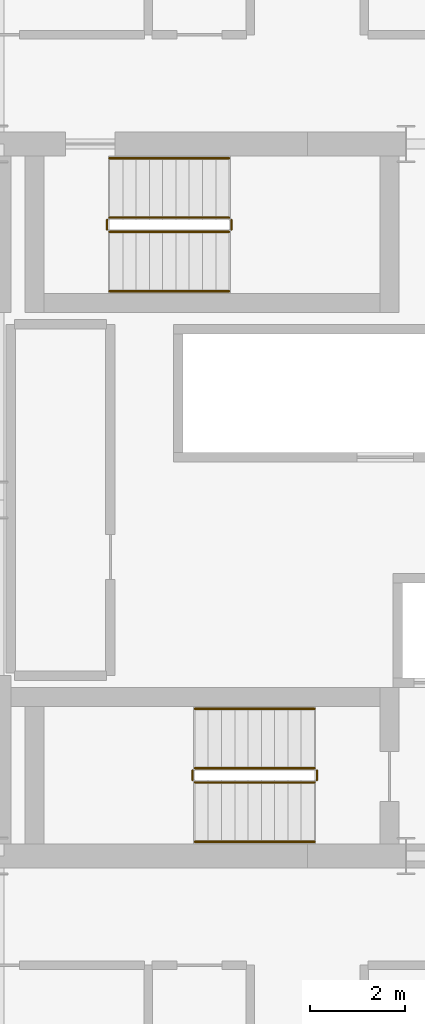
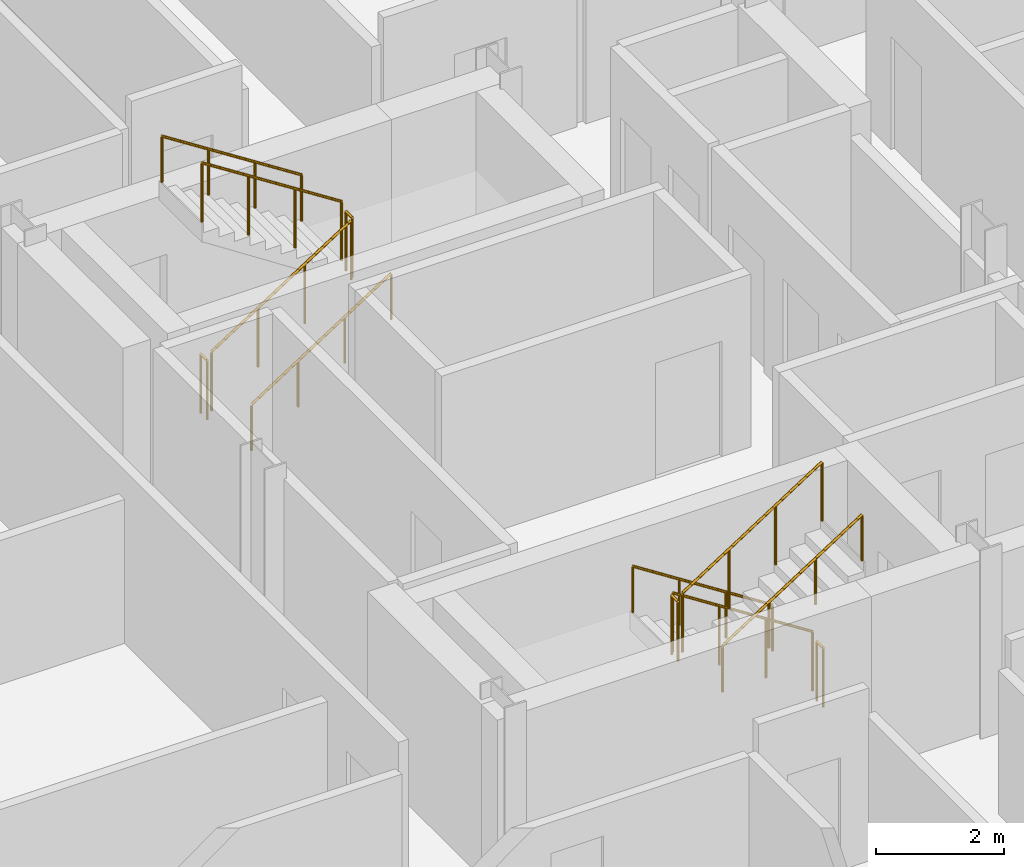
# One storey, part 24 of 25: 12 railings.
"""IFC4 building model written with IfcOpenShell, lengths in metres."""

from ifc_helpers import new_model, si_unit, direction, frame, origin, origin_2d, place, context, subcontext, project, spatial, circle, extrude, material, type_object, element, save


model = new_model("IFC4")

# Units and contexts
model_context = context("Model", 3, precision=1e-05, world=origin(), true_north=direction((0.0, 1.0)))
body_context = subcontext(model_context, "Body", "Model", "MODEL_VIEW")
ifc_project = project(units=[si_unit("LENGTHUNIT", "METRE"), si_unit("AREAUNIT", "SQUARE_METRE"), si_unit("VOLUMEUNIT", "CUBIC_METRE"), si_unit("PLANEANGLEUNIT", "RADIAN"), si_unit("MASSUNIT", "GRAM", prefix="KILO")], contexts=[model_context])

# Site, building, storey
site_placement = place(None, origin())
site = spatial("IfcSite", under=ifc_project, at=site_placement, CompositionType="ELEMENT")
building_placement = place(site_placement, origin())
building = spatial("IfcBuilding", under=site, at=building_placement, Name="Barlavira Tower and Art Museum", CompositionType="ELEMENT")
storey_placement = place(building_placement, frame((0.0, 0.0, 208.800048828125)))
storey = spatial("IfcBuildingStorey", under=building, at=storey_placement, Name="L54", CompositionType="ELEMENT", Elevation=208.800048828125)

# Railings
ifc_material = material(Name="Brushed stainless steel", Category="steel")
railing_type_1 = type_object("IfcRailingType", Name="Interior Void and Landing Guard Railing 1150", PredefinedType="GUARDRAIL", material=ifc_material)
railing_1_placement = place(storey_placement, frame((0.14990234375, -5.64990234375, 0.179931640625)))
element("IfcRailing", 1, at=railing_1_placement, inside=storey, type_object=railing_type_1, Name="L54 ST-T1 stair guard 1", PredefinedType="GUARDRAIL", context=body_context, shape_type="SweptSolid", body=[
    extrude(circle(Radius=0.02392578125, at=origin_2d()), frame((0.0, 0.0, 1.1259765625), z_axis=(-0.841162588446, 0.0, 0.540782303519), x_axis=(0.0, -1.0, 0.0)), (0.0, 0.0, 1.0), 2.995849609375),
    extrude(circle(Radius=0.02099609375, at=origin_2d()), origin(), (0.0, 0.0, 1.0), 1.101806640625),
    extrude(circle(Radius=0.02099609375, at=origin_2d()), frame((-0.840087890625, 0.0, 0.5400390625)), (0.0, 0.0, 1.0), 1.101806640625),
    extrude(circle(Radius=0.02099609375, at=origin_2d()), frame((-1.679931640625, 0.0, 1.080078125)), (0.0, 0.0, 1.0), 1.101806640625),
    extrude(circle(Radius=0.02099609375, at=origin_2d()), frame((-2.52001953125, 0.0, 1.6201171875)), (0.0, 0.0, 1.0), 1.101806640625),
])
railing_2_placement = place(storey_placement, frame((-2.419921875, -5.699951171875, 1.800048828125)))
element("IfcRailing", 2, at=railing_2_placement, inside=storey, type_object=railing_type_1, Name="L54 ST-T1 stair guard 2", PredefinedType="GUARDRAIL", context=body_context, shape_type="SweptSolid", body=[
    extrude(circle(Radius=0.02392578125, at=origin_2d()), frame((0.0, 0.0, 1.1259765625), z_axis=(0.0, -1.0, 0.0), x_axis=(1.0, 0.0, 0.0)), (0.0, 0.0, 1.0), 0.199951171875),
    extrude(circle(Radius=0.02099609375, at=origin_2d()), origin(), (0.0, 0.0, 1.0), 1.101806640625),
    extrude(circle(Radius=0.02099609375, at=origin_2d()), frame((0.0, -0.199951171875, 0.0)), (0.0, 0.0, 1.0), 1.101806640625),
])
railing_3_placement = place(storey_placement, frame((-2.3701171875, -5.949951171875, 1.97998046875)))
element("IfcRailing", 3, at=railing_3_placement, inside=storey, type_object=railing_type_1, Name="L54 ST-T1 stair guard 3", PredefinedType="GUARDRAIL", context=body_context, shape_type="SweptSolid", body=[
    extrude(circle(Radius=0.02392578125, at=origin_2d()), frame((0.0, 0.0, 1.1259765625), z_axis=(0.841199657755, 0.0, 0.540724639528), x_axis=(0.0, 1.0, 0.0)), (0.0, 0.0, 1.0), 2.995849609375),
    extrude(circle(Radius=0.02099609375, at=origin_2d()), origin(), (0.0, 0.0, 1.0), 1.101806640625),
    extrude(circle(Radius=0.02099609375, at=origin_2d()), frame((0.840087890625, 0.0, 0.5400390625)), (0.0, 0.0, 1.0), 1.101806640625),
    extrude(circle(Radius=0.02099609375, at=origin_2d()), frame((1.679931640625, 0.0, 1.079833984375)), (0.0, 0.0, 1.0), 1.101806640625),
    extrude(circle(Radius=0.02099609375, at=origin_2d()), frame((2.52001953125, 0.0, 1.619873046875)), (0.0, 0.0, 1.0), 1.101806640625),
])
railing_4_placement = place(storey_placement, frame((0.199951171875, -5.699951171875, 0.0)))
element("IfcRailing", 4, at=railing_4_placement, inside=storey, type_object=railing_type_1, Name="L54 ST-T1 stair guard 4", PredefinedType="GUARDRAIL", context=body_context, shape_type="SweptSolid", body=[
    extrude(circle(Radius=0.02392578125, at=origin_2d()), frame((0.0, 0.0, 1.1259765625), z_axis=(0.0, -1.0, 0.0), x_axis=(1.0, 0.0, 0.0)), (0.0, 0.0, 1.0), 0.199951171875),
    extrude(circle(Radius=0.02099609375, at=origin_2d()), origin(), (0.0, 0.0, 1.0), 1.101806640625),
    extrude(circle(Radius=0.02099609375, at=origin_2d()), frame((0.0, -0.199951171875, 0.0)), (0.0, 0.0, 1.0), 1.101806640625),
])
railing_5_placement = place(storey_placement, frame((-4.169921875, 5.64990234375, 0.179931640625)))
element("IfcRailing", 5, at=railing_5_placement, inside=storey, type_object=railing_type_1, Name="L54 ST-T2 stair guard 1", PredefinedType="GUARDRAIL", context=body_context, shape_type="SweptSolid", body=[
    extrude(circle(Radius=0.02392578125, at=origin_2d()), frame((0.0, 0.0, 1.1259765625), z_axis=(0.841162588446, 0.0, 0.540782303519), x_axis=(0.0, 1.0, 0.0)), (0.0, 0.0, 1.0), 2.995849609375),
    extrude(circle(Radius=0.02099609375, at=origin_2d()), origin(), (0.0, 0.0, 1.0), 1.101806640625),
    extrude(circle(Radius=0.02099609375, at=origin_2d()), frame((0.840087890625, 0.0, 0.5400390625)), (0.0, 0.0, 1.0), 1.101806640625),
    extrude(circle(Radius=0.02099609375, at=origin_2d()), frame((1.679931640625, 0.0, 1.080078125)), (0.0, 0.0, 1.0), 1.101806640625),
    extrude(circle(Radius=0.02099609375, at=origin_2d()), frame((2.52001953125, 0.0, 1.6201171875)), (0.0, 0.0, 1.0), 1.101806640625),
])
railing_6_placement = place(storey_placement, frame((-1.60009765625, 5.699951171875, 1.800048828125)))
element("IfcRailing", 6, at=railing_6_placement, inside=storey, type_object=railing_type_1, Name="L54 ST-T2 stair guard 2", PredefinedType="GUARDRAIL", context=body_context, shape_type="SweptSolid", body=[
    extrude(circle(Radius=0.02392578125, at=origin_2d()), frame((0.0, 0.0, 1.1259765625), z_axis=(0.0, 1.0, 0.0), x_axis=(-1.0, 0.0, 0.0)), (0.0, 0.0, 1.0), 0.199951171875),
    extrude(circle(Radius=0.02099609375, at=origin_2d()), origin(), (0.0, 0.0, 1.0), 1.101806640625),
    extrude(circle(Radius=0.02099609375, at=origin_2d()), frame((0.0, 0.199951171875, 0.0)), (0.0, 0.0, 1.0), 1.101806640625),
])
railing_7_placement = place(storey_placement, frame((-1.64990234375, 5.949951171875, 1.97998046875)))
element("IfcRailing", 7, at=railing_7_placement, inside=storey, type_object=railing_type_1, Name="L54 ST-T2 stair guard 3", PredefinedType="GUARDRAIL", context=body_context, shape_type="SweptSolid", body=[
    extrude(circle(Radius=0.02392578125, at=origin_2d()), frame((0.0, 0.0, 1.1259765625), z_axis=(-0.841199657755, 0.0, 0.540724639528), x_axis=(0.0, -1.0, 0.0)), (0.0, 0.0, 1.0), 2.995849609375),
    extrude(circle(Radius=0.02099609375, at=origin_2d()), origin(), (0.0, 0.0, 1.0), 1.101806640625),
    extrude(circle(Radius=0.02099609375, at=origin_2d()), frame((-0.840087890625, 0.0, 0.5400390625)), (0.0, 0.0, 1.0), 1.101806640625),
    extrude(circle(Radius=0.02099609375, at=origin_2d()), frame((-1.679931640625, 0.0, 1.079833984375)), (0.0, 0.0, 1.0), 1.101806640625),
    extrude(circle(Radius=0.02099609375, at=origin_2d()), frame((-2.52001953125, 0.0, 1.619873046875)), (0.0, 0.0, 1.0), 1.101806640625),
])
railing_8_placement = place(storey_placement, frame((-4.219970703125, 5.699951171875, 0.0)))
element("IfcRailing", 8, at=railing_8_placement, inside=storey, type_object=railing_type_1, Name="L54 ST-T2 stair guard 4", PredefinedType="GUARDRAIL", context=body_context, shape_type="SweptSolid", body=[
    extrude(circle(Radius=0.02392578125, at=origin_2d()), frame((0.0, 0.0, 1.1259765625), z_axis=(0.0, 1.0, 0.0), x_axis=(-1.0, 0.0, 0.0)), (0.0, 0.0, 1.0), 0.199951171875),
    extrude(circle(Radius=0.02099609375, at=origin_2d()), origin(), (0.0, 0.0, 1.0), 1.101806640625),
    extrude(circle(Radius=0.02099609375, at=origin_2d()), frame((0.0, 0.199951171875, 0.0)), (0.0, 0.0, 1.0), 1.101806640625),
])
railing_type_2 = type_object("IfcRailingType", Name="Stair Pitch Tubular Steel Handrail 920", PredefinedType="HANDRAIL", material=ifc_material)
railing_9_placement = place(storey_placement, frame((0.14990234375, -4.39990234375, 0.179931640625)))
element("IfcRailing", 9, at=railing_9_placement, inside=storey, type_object=railing_type_2, Name="L54 ST-T1 stair handrail 1", PredefinedType="HANDRAIL", context=body_context, shape_type="SweptSolid", body=[
    extrude(circle(Radius=0.02392578125, at=origin_2d()), frame((0.0, 0.0, 0.8759765625), z_axis=(-0.841162588446, 0.0, 0.540782303519), x_axis=(0.0, -1.0, 0.0)), (0.0, 0.0, 1.0), 2.995849609375),
    extrude(circle(Radius=0.02099609375, at=origin_2d()), origin(), (0.0, 0.0, 1.0), 0.851806640625),
    extrude(circle(Radius=0.02099609375, at=origin_2d()), frame((-0.840087890625, 0.0, 0.5400390625)), (0.0, 0.0, 1.0), 0.851806640625),
    extrude(circle(Radius=0.02099609375, at=origin_2d()), frame((-1.679931640625, 0.0, 1.080078125)), (0.0, 0.0, 1.0), 0.851806640625),
    extrude(circle(Radius=0.02099609375, at=origin_2d()), frame((-2.52001953125, 0.0, 1.6201171875)), (0.0, 0.0, 1.0), 0.851806640625),
])
railing_10_placement = place(storey_placement, frame((-2.3701171875, -7.199951171875, 1.97998046875)))
element("IfcRailing", 10, at=railing_10_placement, inside=storey, type_object=railing_type_2, Name="L54 ST-T1 stair handrail 2", PredefinedType="HANDRAIL", context=body_context, shape_type="SweptSolid", body=[
    extrude(circle(Radius=0.02392578125, at=origin_2d()), frame((0.0, 0.0, 0.8759765625), z_axis=(0.841199657755, 0.0, 0.540724639528), x_axis=(0.0, 1.0, 0.0)), (0.0, 0.0, 1.0), 2.995849609375),
    extrude(circle(Radius=0.02099609375, at=origin_2d()), origin(), (0.0, 0.0, 1.0), 0.851806640625),
    extrude(circle(Radius=0.02099609375, at=origin_2d()), frame((0.840087890625, 0.0, 0.5400390625)), (0.0, 0.0, 1.0), 0.851806640625),
    extrude(circle(Radius=0.02099609375, at=origin_2d()), frame((1.679931640625, 0.0, 1.079833984375)), (0.0, 0.0, 1.0), 0.851806640625),
    extrude(circle(Radius=0.02099609375, at=origin_2d()), frame((2.52001953125, 0.0, 1.619873046875)), (0.0, 0.0, 1.0), 0.851806640625),
])
railing_11_placement = place(storey_placement, frame((-4.169921875, 4.39990234375, 0.179931640625)))
element("IfcRailing", 11, at=railing_11_placement, inside=storey, type_object=railing_type_2, Name="L54 ST-T2 stair handrail 1", PredefinedType="HANDRAIL", context=body_context, shape_type="SweptSolid", body=[
    extrude(circle(Radius=0.02392578125, at=origin_2d()), frame((0.0, 0.0, 0.8759765625), z_axis=(0.841162588446, 0.0, 0.540782303519), x_axis=(0.0, 1.0, 0.0)), (0.0, 0.0, 1.0), 2.995849609375),
    extrude(circle(Radius=0.02099609375, at=origin_2d()), origin(), (0.0, 0.0, 1.0), 0.851806640625),
    extrude(circle(Radius=0.02099609375, at=origin_2d()), frame((0.840087890625, 0.0, 0.5400390625)), (0.0, 0.0, 1.0), 0.851806640625),
    extrude(circle(Radius=0.02099609375, at=origin_2d()), frame((1.679931640625, 0.0, 1.080078125)), (0.0, 0.0, 1.0), 0.851806640625),
    extrude(circle(Radius=0.02099609375, at=origin_2d()), frame((2.52001953125, 0.0, 1.6201171875)), (0.0, 0.0, 1.0), 0.851806640625),
])
railing_12_placement = place(storey_placement, frame((-1.64990234375, 7.199951171875, 1.97998046875)))
element("IfcRailing", 12, at=railing_12_placement, inside=storey, type_object=railing_type_2, Name="L54 ST-T2 stair handrail 2", PredefinedType="HANDRAIL", context=body_context, shape_type="SweptSolid", body=[
    extrude(circle(Radius=0.02392578125, at=origin_2d()), frame((0.0, 0.0, 0.8759765625), z_axis=(-0.841199657755, 0.0, 0.540724639528), x_axis=(0.0, -1.0, 0.0)), (0.0, 0.0, 1.0), 2.995849609375),
    extrude(circle(Radius=0.02099609375, at=origin_2d()), origin(), (0.0, 0.0, 1.0), 0.851806640625),
    extrude(circle(Radius=0.02099609375, at=origin_2d()), frame((-0.840087890625, 0.0, 0.5400390625)), (0.0, 0.0, 1.0), 0.851806640625),
    extrude(circle(Radius=0.02099609375, at=origin_2d()), frame((-1.679931640625, 0.0, 1.079833984375)), (0.0, 0.0, 1.0), 0.851806640625),
    extrude(circle(Radius=0.02099609375, at=origin_2d()), frame((-2.52001953125, 0.0, 1.619873046875)), (0.0, 0.0, 1.0), 0.851806640625),
])

save(model, "model.ifc")
